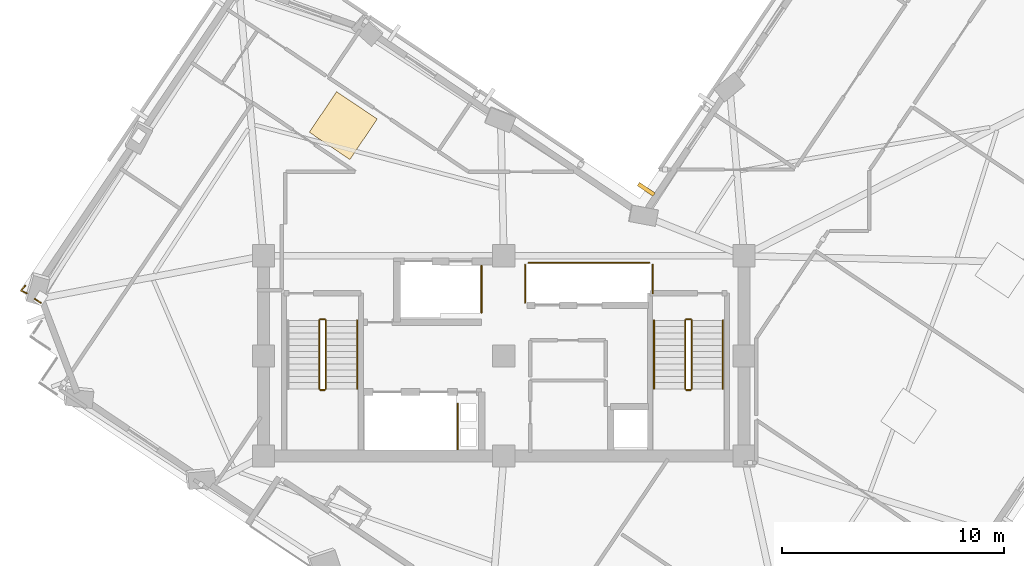
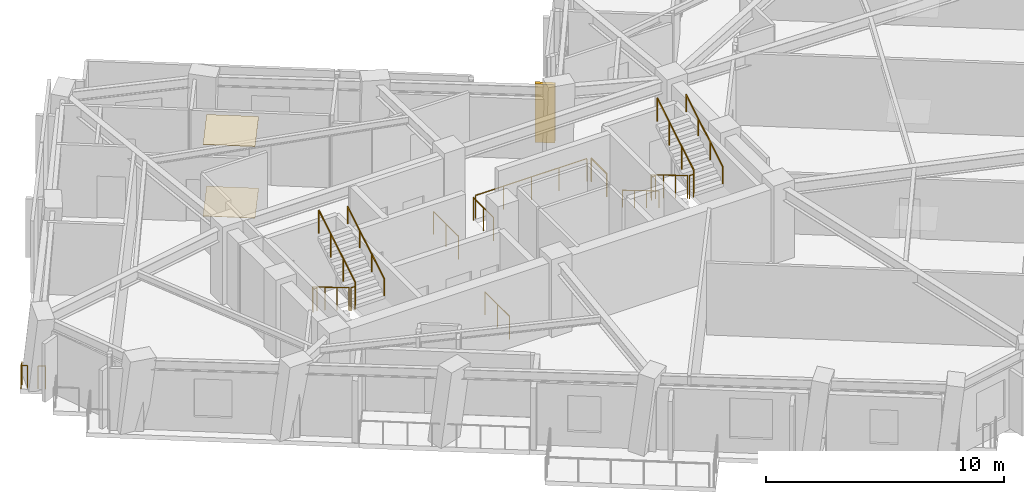
# One storey, part 11 of 14: 18 railings, 2 coverings, 1 shading device.
"""IFC4 building model written with IfcOpenShell, lengths in metres."""

import ifcopenshell
import ifcopenshell.guid

model = None  # the IFC model being written
_history = None  # IfcOwnerHistory: only IFC2X3 demands one
_inside = {}  # id of a spatial element -> (the spatial element, [elements in it])
_under = {}  # id of a project, library or spatial element -> (it, [spatial elements below it])
_declared = {}  # id of a project -> (the project, [libraries it declares])
_typed = {}  # id of a type object -> (the type object, [elements of that type])
_made_of = {}  # id of a material, layer set ... -> (it, [elements and type objects made of it])


def new_model(schema):
    """Start an empty IFC model of exactly this schema.

    Asked for "IFC4X3", IfcOpenShell would pick the latest addendum, in which some entities
    have other attributes; the version numbers below select the first issue.
    IFC2X3 requires an IfcOwnerHistory on every rooted entity: one is made here for all.
    """
    global model, _history
    if schema == "IFC4X3":
        model = ifcopenshell.file(schema_version=(4, 3, 0, 0))
    else:
        model = ifcopenshell.file(schema=schema)
    _inside.clear()
    _under.clear()
    _declared.clear()
    _typed.clear()
    _made_of.clear()
    _history = None
    if model.schema == "IFC2X3":
        org = make("IfcOrganization", Name="unknown")
        user = make(
            "IfcPersonAndOrganization",
            ThePerson=make("IfcPerson", FamilyName="unknown"),
            TheOrganization=org,
        )
        app = make(
            "IfcApplication",
            ApplicationDeveloper=org,
            Version="unknown",
            ApplicationFullName="unknown",
            ApplicationIdentifier="unknown",
        )
        _history = make(
            "IfcOwnerHistory",
            OwningUser=user,
            OwningApplication=app,
            ChangeAction="ADDED",
            CreationDate=0,
        )
    return model


def make(cls, **values):
    """One entity of the class cls with the attributes given. An attribute that is None is left unset."""
    return model.create_entity(
        cls, **{name: value for name, value in values.items() if value is not None}
    )


def rooted(cls, **values):
    """An entity with a GlobalId (a new one), such as an element, a storey or a relation."""
    return make(cls, GlobalId=ifcopenshell.guid.new(), OwnerHistory=_history, **values)


def si_unit(unit_type, name, prefix=None):
    """IfcSIUnit, for example si_unit("LENGTHUNIT", "METRE", prefix="MILLI")."""
    return make("IfcSIUnit", UnitType=unit_type, Prefix=prefix, Name=name)


def assignment(units):
    """IfcUnitAssignment: the units of a project."""
    return None if units is None else make("IfcUnitAssignment", Units=units)


def point(xyz):
    """IfcCartesianPoint."""
    return None if xyz is None else make("IfcCartesianPoint", Coordinates=xyz)


def direction(xyz):
    """IfcDirection."""
    return None if xyz is None else make("IfcDirection", DirectionRatios=xyz)


def frame(location, z_axis=None, x_axis=None):
    """IfcAxis2Placement3D, a coordinate frame: its origin and axes. An axis left out is left unset."""
    return make(
        "IfcAxis2Placement3D",
        Location=point(location),
        Axis=direction(z_axis),
        RefDirection=direction(x_axis),
    )


def frame_2d(location, x_axis=None):
    """IfcAxis2Placement2D, a coordinate frame in the plane: its origin and x axis."""
    return make(
        "IfcAxis2Placement2D", Location=point(location), RefDirection=direction(x_axis)
    )


def origin():
    """The frame at (0, 0, 0) with its axes left unset."""
    return frame((0.0, 0.0, 0.0))


def origin_2d():
    """The frame at (0, 0) in the plane with its x axis left unset."""
    return frame_2d((0.0, 0.0))


def place(relative_to, where):
    """IfcLocalPlacement: puts the frame where relative to a parent placement (None: the world)."""
    return make(
        "IfcLocalPlacement", PlacementRelTo=relative_to, RelativePlacement=where
    )


def context(
    kind, dimensions, precision=None, world=None, true_north=None, identifier=None
):
    """IfcGeometricRepresentationContext, for example the 3D "Model" context."""
    return make(
        "IfcGeometricRepresentationContext",
        ContextIdentifier=identifier,
        ContextType=kind,
        CoordinateSpaceDimension=dimensions,
        Precision=precision,
        WorldCoordinateSystem=world,
        TrueNorth=true_north,
    )


def subcontext(parent, identifier, kind, view, scale=None):
    """IfcGeometricRepresentationSubContext, for example "Body" below "Model"."""
    return make(
        "IfcGeometricRepresentationSubContext",
        ContextIdentifier=identifier,
        ContextType=kind,
        ParentContext=parent,
        TargetScale=scale,
        TargetView=view,
    )


def project(units=None, contexts=None):
    """IfcProject with its units and contexts."""
    return rooted(
        "IfcProject",
        Name="project",
        RepresentationContexts=contexts,
        UnitsInContext=assignment(units),
    )


def spatial(cls, under=None, at=None, **own):
    """A site, building, storey or space (cls), placed at a placement, below another one or the project."""
    s = rooted(cls, ObjectPlacement=at, **own)
    if under is not None:
        _under.setdefault(under.id(), (under, []))[1].append(s)
    return s


def profile(cls, at=None, kind="AREA", **sizes):
    """A parametric profile (cls). Its sizes go by their IFC names, for example OverallWidth=200.0."""
    return make(cls, ProfileType=kind, Position=at, **sizes)


def rectangle(**sizes):
    """IfcRectangleProfileDef."""
    return profile("IfcRectangleProfileDef", **sizes)


def circle(**sizes):
    """IfcCircleProfileDef."""
    return profile("IfcCircleProfileDef", **sizes)


def extrude(swept, where, along, depth):
    """IfcExtrudedAreaSolid: the profile swept, set in the frame where, extruded along a direction by depth."""
    return make(
        "IfcExtrudedAreaSolid",
        SweptArea=swept,
        Position=where,
        ExtrudedDirection=direction(along),
        Depth=depth,
    )


def shape(context_of_items, identifier, shape_type, items):
    """IfcShapeRepresentation: the items that make up one representation, for example the "Body"."""
    return make(
        "IfcShapeRepresentation",
        ContextOfItems=context_of_items,
        RepresentationIdentifier=identifier,
        RepresentationType=shape_type,
        Items=items,
    )


def material(Name=None, Category=None):
    """IfcMaterial."""
    return make("IfcMaterial", Name=Name, Category=Category)


def layer(
    of_material, thickness, ventilated=None, Name=None, Category=None, Priority=None
):
    """IfcMaterialLayer: one layer of a wall or slab, of a material (None: an air gap)."""
    return make(
        "IfcMaterialLayer",
        Material=of_material,
        LayerThickness=thickness,
        IsVentilated=ventilated,
        Name=Name,
        Category=Category,
        Priority=Priority,
    )


def layer_set(layers, Name=None):
    """IfcMaterialLayerSet."""
    return make("IfcMaterialLayerSet", MaterialLayers=layers, LayerSetName=Name)


def made_of(thing, what):
    """Note that an element or type object is made of a material, layer set ...; save() writes the relation."""
    if what is not None:
        _made_of.setdefault(what.id(), (what, []))[1].append(thing)
    return thing


def type_object(cls, material=None, **own):
    """A type object (cls), such as IfcWallType, which elements share."""
    return made_of(rooted(cls, **own), material)


def element(
    cls,
    number,
    at=None,
    inside=None,
    cuts=None,
    type_object=None,
    material=None,
    context=None,
    identifier="Body",
    shape_type=None,
    held_by="IfcProductDefinitionShape",
    body=None,
    shapes=None,
    **own,
):
    """One element of the class cls, such as IfcWall. Its Tag is "e" and its number.

    at: its placement. inside: the storey or other place that contains it. cuts: it is an
    opening in that element (IfcRelVoidsElement). A single representation is given by context,
    identifier, shape_type and body (its items); several are given by shapes. held_by: the class
    of the entity that holds the representations. save() writes the other relations.
    """
    e = rooted(cls, Tag="e%d" % number, ObjectPlacement=at, **own)
    if body is not None:
        shapes = [shape(context, identifier, shape_type, body)]
    if shapes is not None:
        e.Representation = make(held_by, Representations=shapes)
    if inside is not None:
        _inside.setdefault(inside.id(), (inside, []))[1].append(e)
    if cuts is not None:
        rooted(
            "IfcRelVoidsElement", RelatingBuildingElement=cuts, RelatedOpeningElement=e
        )
    if type_object is not None:
        _typed.setdefault(type_object.id(), (type_object, []))[1].append(e)
    return made_of(e, material)


def aggregate(whole, parts):
    """IfcRelAggregates: a whole, such as a stair, and the parts it consists of."""
    return rooted("IfcRelAggregates", RelatingObject=whole, RelatedObjects=parts)


def save(model, path):
    """Write the relations noted so far, then the file.

    IfcRelAggregates (storeys below a building ...), IfcRelContainedInSpatialStructure (elements
    in a storey), IfcRelDefinesByType, IfcRelAssociatesMaterial and IfcRelDeclares: one each for
    every whole, place, type object, material and project.
    """
    for whole, parts in _under.values():
        aggregate(whole, parts)
    for where, things in _inside.values():
        rooted(
            "IfcRelContainedInSpatialStructure",
            RelatedElements=things,
            RelatingStructure=where,
        )
    for kind, things in _typed.values():
        rooted("IfcRelDefinesByType", RelatedObjects=things, RelatingType=kind)
    for what, things in _made_of.values():
        rooted("IfcRelAssociatesMaterial", RelatedObjects=things, RelatingMaterial=what)
    for by, libraries in _declared.values():
        rooted("IfcRelDeclares", RelatingContext=by, RelatedDefinitions=libraries)
    model.write(path)


model = new_model("IFC4")

# Units and contexts
model_context = context("Model", 3, precision=1e-05, world=origin(), true_north=direction((0.0, 1.0)))
body_context = subcontext(model_context, "Body", "Model", "MODEL_VIEW")
ifc_project = project(units=[si_unit("LENGTHUNIT", "METRE"), si_unit("AREAUNIT", "SQUARE_METRE"), si_unit("VOLUMEUNIT", "CUBIC_METRE"), si_unit("PLANEANGLEUNIT", "RADIAN"), si_unit("MASSUNIT", "GRAM", prefix="KILO")], contexts=[model_context])

# Site, building, storey
site_placement = place(None, origin())
site = spatial("IfcSite", under=ifc_project, at=site_placement, CompositionType="ELEMENT")
building_placement = place(site_placement, origin())
building = spatial("IfcBuilding", under=site, at=building_placement, Name="Gaonmaruhae Medical Tower", CompositionType="ELEMENT")
storey_placement = place(building_placement, frame((0.0, 0.0, 263.199951171875)))
storey = spatial("IfcBuildingStorey", under=building, at=storey_placement, Name="L63", CompositionType="ELEMENT", Elevation=263.199951171875)

# Coverings
ifc_material_1 = material(Name="Acoustic mineral ceiling tile", Category="finish")
ifc_layer_1 = layer(ifc_material_1, 0.02490234375)
ifc_layer_set_1 = layer_set([ifc_layer_1], Name="Acoustic mineral ceiling tile")
covering_type_1 = type_object("IfcCoveringType", Name="CLG-01 Antimicrobial Acoustic Mineral Ceiling", PredefinedType="CEILING", material=ifc_layer_set_1)
covering_1_placement = place(storey_placement, frame((17.580810546875, 22.655517578125, 3.675048828125), z_axis=(0.0, 0.0, 1.0), x_axis=(0.558469218875, 0.829525244685, 0.0)))
element("IfcCovering", 1, at=covering_1_placement, inside=storey, type_object=covering_type_1, Name="L63 Clinical Corridor Acoustic Ceiling", PredefinedType="CEILING", context=body_context, shape_type="SweptSolid", body=[
    extrude(rectangle(XDim=2.199951171875, YDim=2.199951171875, at=origin_2d()), origin(), (0.0, 0.0, 1.0), 0.02490234375),
])
ifc_material_2 = material(Name="Seamless clinical vinyl flooring", Category="finish")
ifc_layer_2 = layer(ifc_material_2, 0.014892578125)
ifc_layer_set_2 = layer_set([ifc_layer_2], Name="Seamless clinical vinyl flooring")
covering_type_2 = type_object("IfcCoveringType", Name="FLR-01 Seamless Clinical Antistatic Vinyl Flooring", PredefinedType="FLOORING", material=ifc_layer_set_2)
covering_2_placement = place(storey_placement, frame((17.580810546875, 22.655517578125, 0.00048828125), z_axis=(0.0, 0.0, 1.0), x_axis=(0.558469218875, 0.829525244685, 0.0)))
element("IfcCovering", 2, at=covering_2_placement, inside=storey, type_object=covering_type_2, Name="L63 Clinical Corridor Vinyl Flooring", PredefinedType="FLOORING", context=body_context, shape_type="SweptSolid", body=[
    extrude(rectangle(XDim=2.199951171875, YDim=2.199951171875, at=origin_2d()), origin(), (0.0, 0.0, 1.0), 0.014892578125),
])

# Railings
ifc_material_3 = material(Name="Stainless steel 316L and laminated safety glass", Category="steel")
ifc_layer_3 = layer(ifc_material_3, 0.080078125)
ifc_layer_set_3 = layer_set([ifc_layer_3], Name="Stainless steel 316L and laminated safety glass")
railing_type_1 = type_object("IfcRailingType", Name="GD-120 Outdoor Terrace Safety Glass & Steel Balustrade", PredefinedType="BALUSTRADE", material=ifc_layer_set_3)
railing_1_placement = place(storey_placement, frame((3.98291015625, 14.686279296875, 0.0)))
element("IfcRailing", 3, at=railing_1_placement, inside=storey, type_object=railing_type_1, Name="L63 Perimeter Slab Edge Safety Balustrade 03", PredefinedType="BALUSTRADE", context=body_context, shape_type="SweptSolid", body=[
    extrude(circle(Radius=0.02392578125, at=origin_2d()), frame((0.0, 0.0, 1.17578125), z_axis=(-0.829627693725, 0.558317015507, 0.0), x_axis=(-0.558317015507, -0.829627693725, 0.0)), (0.0, 0.0, 1.0), 0.32666015625),
    extrude(circle(Radius=0.02099609375, at=origin_2d()), origin(), (0.0, 0.0, 1.0), 1.15185546875),
    extrude(circle(Radius=0.02099609375, at=origin_2d()), frame((-0.27099609375, 0.182373046875, 0.0)), (0.0, 0.0, 1.0), 1.15185546875),
])
railing_2_placement = place(storey_placement, frame((3.352294921875, 15.110595703125, 0.0)))
element("IfcRailing", 4, at=railing_2_placement, inside=storey, type_object=railing_type_1, Name="L63 Perimeter Corner Safety Balustrade 18", PredefinedType="BALUSTRADE", context=body_context, shape_type="SweptSolid", body=[
    extrude(circle(Radius=0.02392578125, at=origin_2d()), frame((0.0, 0.0, 1.17578125), z_axis=(-0.89134435758, 0.453326853617, 0.0), x_axis=(-0.453326853617, -0.89134435758, 0.0)), (0.0, 0.0, 1.0), 0.287109375),
    extrude(circle(Radius=0.02392578125, at=origin_2d()), frame((-0.255859375, 0.130126953125, 1.17578125), z_axis=(0.65518931978, 0.755464727996, 0.0), x_axis=(-0.755464727996, 0.65518931978, 0.0)), (0.0, 0.0, 1.0), 0.287353515625),
    extrude(circle(Radius=0.02099609375, at=origin_2d()), origin(), (0.0, 0.0, 1.0), 1.15185546875),
    extrude(circle(Radius=0.02099609375, at=origin_2d()), frame((-0.255859375, 0.130126953125, 0.0)), (0.0, 0.0, 1.0), 1.15185546875),
    extrude(circle(Radius=0.02099609375, at=origin_2d()), frame((-0.067626953125, 0.34716796875, 0.0)), (0.0, 0.0, 1.0), 1.15185546875),
])
ifc_material_4 = material(Name="Stainless steel 304 handrail", Category="steel")
railing_type_2 = type_object("IfcRailingType", Name="HR-092 Continuous Stainless Steel Stair Handrail", PredefinedType="HANDRAIL", material=ifc_material_4)
railing_3_placement = place(storey_placement, frame((18.199951171875, 10.820068359375, 2.166748046875)))
element("IfcRailing", 5, at=railing_3_placement, inside=storey, type_object=railing_type_2, Name="L63 ST-01 stair handrail 2", PredefinedType="HANDRAIL", context=body_context, shape_type="SweptSolid", body=[
    extrude(circle(Radius=0.02392578125, at=origin_2d()), frame((0.0, 0.0, 0.8759765625), z_axis=(0.0, 0.859290745958, 0.51148745235), x_axis=(-1.0, 0.0, 0.0)), (0.0, 0.0, 1.0), 3.584228515625),
    extrude(circle(Radius=0.02099609375, at=origin_2d()), origin(), (0.0, 0.0, 1.0), 0.851806640625),
    extrude(circle(Radius=0.02099609375, at=origin_2d()), frame((0.0, 1.026611328125, 0.611083984375)), (0.0, 0.0, 1.0), 0.851806640625),
    extrude(circle(Radius=0.02099609375, at=origin_2d()), frame((0.0, 2.05322265625, 1.22216796875)), (0.0, 0.0, 1.0), 0.851806640625),
    extrude(circle(Radius=0.02099609375, at=origin_2d()), frame((0.0, 3.079833984375, 1.833251953125)), (0.0, 0.0, 1.0), 0.851806640625),
])
railing_4_placement = place(storey_placement, frame((31.550048828125, 13.89990234375, 0.166748046875)))
element("IfcRailing", 6, at=railing_4_placement, inside=storey, type_object=railing_type_2, Name="L63 ST-02 stair handrail 1", PredefinedType="HANDRAIL", context=body_context, shape_type="SweptSolid", body=[
    extrude(circle(Radius=0.02392578125, at=origin_2d()), frame((0.0, 0.0, 0.8759765625), z_axis=(0.0, -0.859290745958, 0.51148745235), x_axis=(1.0, 0.0, 0.0)), (0.0, 0.0, 1.0), 3.584228515625),
    extrude(circle(Radius=0.02099609375, at=origin_2d()), origin(), (0.0, 0.0, 1.0), 0.851806640625),
    extrude(circle(Radius=0.02099609375, at=origin_2d()), frame((0.0, -1.026611328125, 0.611083984375)), (0.0, 0.0, 1.0), 0.851806640625),
    extrude(circle(Radius=0.02099609375, at=origin_2d()), frame((0.0, -2.05322265625, 1.22216796875)), (0.0, 0.0, 1.0), 0.851806640625),
    extrude(circle(Radius=0.02099609375, at=origin_2d()), frame((0.0, -3.079833984375, 1.833251953125)), (0.0, 0.0, 1.0), 0.851806640625),
])
railing_5_placement = place(storey_placement, frame((34.64990234375, 10.820068359375, 2.166748046875)))
element("IfcRailing", 7, at=railing_5_placement, inside=storey, type_object=railing_type_2, Name="L63 ST-02 stair handrail 2", PredefinedType="HANDRAIL", context=body_context, shape_type="SweptSolid", body=[
    extrude(circle(Radius=0.02392578125, at=origin_2d()), frame((0.0, 0.0, 0.8759765625), z_axis=(0.0, 0.859290745958, 0.51148745235), x_axis=(-1.0, 0.0, 0.0)), (0.0, 0.0, 1.0), 3.584228515625),
    extrude(circle(Radius=0.02099609375, at=origin_2d()), origin(), (0.0, 0.0, 1.0), 0.851806640625),
    extrude(circle(Radius=0.02099609375, at=origin_2d()), frame((0.0, 1.026611328125, 0.611083984375)), (0.0, 0.0, 1.0), 0.851806640625),
    extrude(circle(Radius=0.02099609375, at=origin_2d()), frame((0.0, 2.05322265625, 1.22216796875)), (0.0, 0.0, 1.0), 0.851806640625),
    extrude(circle(Radius=0.02099609375, at=origin_2d()), frame((0.0, 3.079833984375, 1.833251953125)), (0.0, 0.0, 1.0), 0.851806640625),
])

# Shading device
ifc_material_5 = material(Name="Pigmented coral precast concrete C45/55", Category="concrete")
shading_device_type = type_object("IfcShadingDeviceType", Name="SD-FIN1 Tower Vertical Coral Precast Shading Fin", PredefinedType="USERDEFINED", material=ifc_material_5)
shading_device_placement = place(storey_placement, frame((31.19921875, 19.79248046875, 0.092529296875), z_axis=(0.0, 0.0, 1.0), x_axis=(0.558469218875, 0.829525244685, 0.0)))
element("IfcShadingDevice", 8, at=shading_device_placement, inside=storey, type_object=shading_device_type, Name="L63 Vertical Coral Precast Shading Fin EN02", ObjectType="FIN", PredefinedType="USERDEFINED", context=body_context, shape_type="SweptSolid", body=[
    extrude(rectangle(XDim=0.179931640625, YDim=0.85009765625, at=origin_2d()), origin(), (0.0, 0.0, 1.0), 3.0),
])

# Railings
ifc_material_6 = material(Name="Stainless steel 304 balustrade", Category="steel")
railing_type_3 = type_object("IfcRailingType", Name="SG-112 Stair Well & Ramp Void Safety Balustrade", PredefinedType="BALUSTRADE", material=ifc_material_6)
railing_6_placement = place(storey_placement, frame((16.5, 13.89990234375, 0.166748046875)))
element("IfcRailing", 9, at=railing_6_placement, inside=storey, type_object=railing_type_3, Name="L63 ST-01 stair guard 1", PredefinedType="BALUSTRADE", context=body_context, shape_type="SweptSolid", body=[
    extrude(circle(Radius=0.02392578125, at=origin_2d()), frame((0.0, 0.0, 1.17578125), z_axis=(0.0, -0.859290745958, 0.51148745235), x_axis=(1.0, 0.0, 0.0)), (0.0, 0.0, 1.0), 3.584228515625),
    extrude(circle(Radius=0.02099609375, at=origin_2d()), origin(), (0.0, 0.0, 1.0), 1.15185546875),
    extrude(circle(Radius=0.02099609375, at=origin_2d()), frame((0.0, -1.026611328125, 0.611083984375)), (0.0, 0.0, 1.0), 1.15185546875),
    extrude(circle(Radius=0.02099609375, at=origin_2d()), frame((0.0, -2.05322265625, 1.22216796875)), (0.0, 0.0, 1.0), 1.15185546875),
    extrude(circle(Radius=0.02099609375, at=origin_2d()), frame((0.0, -3.079833984375, 1.833251953125)), (0.0, 0.0, 1.0), 1.15185546875),
])
railing_7_placement = place(storey_placement, frame((16.550048828125, 10.77001953125, 2.0)))
element("IfcRailing", 10, at=railing_7_placement, inside=storey, type_object=railing_type_3, Name="L63 ST-01 stair guard 2", PredefinedType="BALUSTRADE", context=body_context, shape_type="SweptSolid", body=[
    extrude(circle(Radius=0.02392578125, at=origin_2d()), frame((0.0, 0.0, 1.17578125), z_axis=(1.0, 0.0, 0.0), x_axis=(0.0, 1.0, 0.0)), (0.0, 0.0, 1.0), 0.199951171875),
    extrude(circle(Radius=0.02099609375, at=origin_2d()), origin(), (0.0, 0.0, 1.0), 1.15185546875),
    extrude(circle(Radius=0.02099609375, at=origin_2d()), frame((0.199951171875, 0.0, 0.0)), (0.0, 0.0, 1.0), 1.15185546875),
])
railing_8_placement = place(storey_placement, frame((16.800048828125, 10.820068359375, 2.166748046875)))
element("IfcRailing", 11, at=railing_8_placement, inside=storey, type_object=railing_type_3, Name="L63 ST-01 stair guard 3", PredefinedType="BALUSTRADE", context=body_context, shape_type="SweptSolid", body=[
    extrude(circle(Radius=0.02392578125, at=origin_2d()), frame((0.0, 0.0, 1.17578125), z_axis=(0.0, 0.859290745958, 0.51148745235), x_axis=(-1.0, 0.0, 0.0)), (0.0, 0.0, 1.0), 3.584228515625),
    extrude(circle(Radius=0.02099609375, at=origin_2d()), origin(), (0.0, 0.0, 1.0), 1.15185546875),
    extrude(circle(Radius=0.02099609375, at=origin_2d()), frame((0.0, 1.026611328125, 0.611083984375)), (0.0, 0.0, 1.0), 1.15185546875),
    extrude(circle(Radius=0.02099609375, at=origin_2d()), frame((0.0, 2.05322265625, 1.22216796875)), (0.0, 0.0, 1.0), 1.15185546875),
    extrude(circle(Radius=0.02099609375, at=origin_2d()), frame((0.0, 3.079833984375, 1.833251953125)), (0.0, 0.0, 1.0), 1.15185546875),
])
railing_9_placement = place(storey_placement, frame((16.550048828125, 13.949951171875, 0.0)))
element("IfcRailing", 12, at=railing_9_placement, inside=storey, type_object=railing_type_3, Name="L63 ST-01 stair guard 4", PredefinedType="BALUSTRADE", context=body_context, shape_type="SweptSolid", body=[
    extrude(circle(Radius=0.02392578125, at=origin_2d()), frame((0.0, 0.0, 1.17578125), z_axis=(1.0, 0.0, 0.0), x_axis=(0.0, 1.0, 0.0)), (0.0, 0.0, 1.0), 0.199951171875),
    extrude(circle(Radius=0.02099609375, at=origin_2d()), origin(), (0.0, 0.0, 1.0), 1.15185546875),
    extrude(circle(Radius=0.02099609375, at=origin_2d()), frame((0.199951171875, 0.0, 0.0)), (0.0, 0.0, 1.0), 1.15185546875),
])
railing_10_placement = place(storey_placement, frame((32.949951171875, 13.89990234375, 0.166748046875)))
element("IfcRailing", 13, at=railing_10_placement, inside=storey, type_object=railing_type_3, Name="L63 ST-02 stair guard 1", PredefinedType="BALUSTRADE", context=body_context, shape_type="SweptSolid", body=[
    extrude(circle(Radius=0.02392578125, at=origin_2d()), frame((0.0, 0.0, 1.17578125), z_axis=(0.0, -0.859290745958, 0.51148745235), x_axis=(1.0, 0.0, 0.0)), (0.0, 0.0, 1.0), 3.584228515625),
    extrude(circle(Radius=0.02099609375, at=origin_2d()), origin(), (0.0, 0.0, 1.0), 1.15185546875),
    extrude(circle(Radius=0.02099609375, at=origin_2d()), frame((0.0, -1.026611328125, 0.611083984375)), (0.0, 0.0, 1.0), 1.15185546875),
    extrude(circle(Radius=0.02099609375, at=origin_2d()), frame((0.0, -2.05322265625, 1.22216796875)), (0.0, 0.0, 1.0), 1.15185546875),
    extrude(circle(Radius=0.02099609375, at=origin_2d()), frame((0.0, -3.079833984375, 1.833251953125)), (0.0, 0.0, 1.0), 1.15185546875),
])
railing_11_placement = place(storey_placement, frame((33.0, 10.77001953125, 2.0)))
element("IfcRailing", 14, at=railing_11_placement, inside=storey, type_object=railing_type_3, Name="L63 ST-02 stair guard 2", PredefinedType="BALUSTRADE", context=body_context, shape_type="SweptSolid", body=[
    extrude(circle(Radius=0.02392578125, at=origin_2d()), frame((0.0, 0.0, 1.17578125), z_axis=(1.0, 0.0, 0.0), x_axis=(0.0, 1.0, 0.0)), (0.0, 0.0, 1.0), 0.199951171875),
    extrude(circle(Radius=0.02099609375, at=origin_2d()), origin(), (0.0, 0.0, 1.0), 1.15185546875),
    extrude(circle(Radius=0.02099609375, at=origin_2d()), frame((0.199951171875, 0.0, 0.0)), (0.0, 0.0, 1.0), 1.15185546875),
])
railing_12_placement = place(storey_placement, frame((33.25, 10.820068359375, 2.166748046875)))
element("IfcRailing", 15, at=railing_12_placement, inside=storey, type_object=railing_type_3, Name="L63 ST-02 stair guard 3", PredefinedType="BALUSTRADE", context=body_context, shape_type="SweptSolid", body=[
    extrude(circle(Radius=0.02392578125, at=origin_2d()), frame((0.0, 0.0, 1.17578125), z_axis=(0.0, 0.859290745958, 0.51148745235), x_axis=(-1.0, 0.0, 0.0)), (0.0, 0.0, 1.0), 3.584228515625),
    extrude(circle(Radius=0.02099609375, at=origin_2d()), origin(), (0.0, 0.0, 1.0), 1.15185546875),
    extrude(circle(Radius=0.02099609375, at=origin_2d()), frame((0.0, 1.026611328125, 0.611083984375)), (0.0, 0.0, 1.0), 1.15185546875),
    extrude(circle(Radius=0.02099609375, at=origin_2d()), frame((0.0, 2.05322265625, 1.22216796875)), (0.0, 0.0, 1.0), 1.15185546875),
    extrude(circle(Radius=0.02099609375, at=origin_2d()), frame((0.0, 3.079833984375, 1.833251953125)), (0.0, 0.0, 1.0), 1.15185546875),
])
railing_13_placement = place(storey_placement, frame((33.0, 13.949951171875, 0.0)))
element("IfcRailing", 16, at=railing_13_placement, inside=storey, type_object=railing_type_3, Name="L63 ST-02 stair guard 4", PredefinedType="BALUSTRADE", context=body_context, shape_type="SweptSolid", body=[
    extrude(circle(Radius=0.02392578125, at=origin_2d()), frame((0.0, 0.0, 1.17578125), z_axis=(1.0, 0.0, 0.0), x_axis=(0.0, 1.0, 0.0)), (0.0, 0.0, 1.0), 0.199951171875),
    extrude(circle(Radius=0.02099609375, at=origin_2d()), origin(), (0.0, 0.0, 1.0), 1.15185546875),
    extrude(circle(Radius=0.02099609375, at=origin_2d()), frame((0.199951171875, 0.0, 0.0)), (0.0, 0.0, 1.0), 1.15185546875),
])
railing_14_placement = place(storey_placement, frame((22.719970703125, 10.159912109375, 0.0)))
element("IfcRailing", 17, at=railing_14_placement, inside=storey, type_object=railing_type_3, Name="L63 Shaft Edge Safety Guard 21", PredefinedType="BALUSTRADE", context=body_context, shape_type="SweptSolid", body=[
    extrude(circle(Radius=0.02392578125, at=origin_2d()), frame((0.0, 0.0, 1.17578125), z_axis=(0.0, -1.0, 0.0), x_axis=(1.0, 0.0, 0.0)), (0.0, 0.0, 1.0), 2.06494140625),
    extrude(circle(Radius=0.02099609375, at=origin_2d()), origin(), (0.0, 0.0, 1.0), 1.15185546875),
    extrude(circle(Radius=0.02099609375, at=origin_2d()), frame((0.0, -1.032470703125, 0.0)), (0.0, 0.0, 1.0), 1.15185546875),
    extrude(circle(Radius=0.02099609375, at=origin_2d()), frame((0.0, -2.06494140625, 0.0)), (0.0, 0.0, 1.0), 1.15185546875),
])
railing_15_placement = place(storey_placement, frame((23.794921875, 16.35498046875, 0.0)))
element("IfcRailing", 18, at=railing_15_placement, inside=storey, type_object=railing_type_3, Name="L63 Shaft Edge Safety Guard 22", PredefinedType="BALUSTRADE", context=body_context, shape_type="SweptSolid", body=[
    extrude(circle(Radius=0.02392578125, at=origin_2d()), frame((0.0, 0.0, 1.17578125), z_axis=(0.0, -1.0, 0.0), x_axis=(1.0, 0.0, 0.0)), (0.0, 0.0, 1.0), 2.10986328125),
    extrude(circle(Radius=0.02099609375, at=origin_2d()), origin(), (0.0, 0.0, 1.0), 1.15185546875),
    extrude(circle(Radius=0.02099609375, at=origin_2d()), frame((0.0, -1.054931640625, 0.0)), (0.0, 0.0, 1.0), 1.15185546875),
    extrude(circle(Radius=0.02099609375, at=origin_2d()), frame((0.0, -2.10986328125, 0.0)), (0.0, 0.0, 1.0), 1.15185546875),
])
railing_16_placement = place(storey_placement, frame((31.4951171875, 16.405029296875, 0.0)))
element("IfcRailing", 19, at=railing_16_placement, inside=storey, type_object=railing_type_3, Name="L63 Shaft Edge Safety Guard 23", PredefinedType="BALUSTRADE", context=body_context, shape_type="SweptSolid", body=[
    extrude(circle(Radius=0.02392578125, at=origin_2d()), frame((0.0, 0.0, 1.17578125), z_axis=(0.0, -1.0, 0.0), x_axis=(1.0, 0.0, 0.0)), (0.0, 0.0, 1.0), 1.284912109375),
    extrude(circle(Radius=0.02099609375, at=origin_2d()), origin(), (0.0, 0.0, 1.0), 1.15185546875),
    extrude(circle(Radius=0.02099609375, at=origin_2d()), frame((0.0, -1.284912109375, 0.0)), (0.0, 0.0, 1.0), 1.15185546875),
])
railing_17_placement = place(storey_placement, frame((25.7548828125, 14.695068359375, 0.0)))
element("IfcRailing", 20, at=railing_17_placement, inside=storey, type_object=railing_type_3, Name="L63 Shaft Edge Safety Guard 24", PredefinedType="BALUSTRADE", context=body_context, shape_type="SweptSolid", body=[
    extrude(circle(Radius=0.02392578125, at=origin_2d()), frame((0.0, 0.0, 1.17578125), z_axis=(0.0, 1.0, 0.0), x_axis=(-1.0, 0.0, 0.0)), (0.0, 0.0, 1.0), 1.7099609375),
    extrude(circle(Radius=0.02099609375, at=origin_2d()), origin(), (0.0, 0.0, 1.0), 1.15185546875),
    extrude(circle(Radius=0.02099609375, at=origin_2d()), frame((0.0, 0.85498046875, 0.0)), (0.0, 0.0, 1.0), 1.15185546875),
    extrude(circle(Radius=0.02099609375, at=origin_2d()), frame((0.0, 1.7099609375, 0.0)), (0.0, 0.0, 1.0), 1.15185546875),
])
railing_18_placement = place(storey_placement, frame((25.919921875, 16.4951171875, 0.0)))
element("IfcRailing", 21, at=railing_18_placement, inside=storey, type_object=railing_type_3, Name="L63 Shaft Edge Safety Guard 25", PredefinedType="BALUSTRADE", context=body_context, shape_type="SweptSolid", body=[
    extrude(circle(Radius=0.02392578125, at=origin_2d()), frame((0.0, 0.0, 1.17578125), z_axis=(1.0, 0.0, 0.0), x_axis=(0.0, 1.0, 0.0)), (0.0, 0.0, 1.0), 5.41015625),
    extrude(circle(Radius=0.02099609375, at=origin_2d()), origin(), (0.0, 0.0, 1.0), 1.15185546875),
    extrude(circle(Radius=0.02099609375, at=origin_2d()), frame((1.3525390625, 0.0, 0.0)), (0.0, 0.0, 1.0), 1.15185546875),
    extrude(circle(Radius=0.02099609375, at=origin_2d()), frame((2.705078125, 0.0, 0.0)), (0.0, 0.0, 1.0), 1.15185546875),
    extrude(circle(Radius=0.02099609375, at=origin_2d()), frame((4.0576171875, 0.0, 0.0)), (0.0, 0.0, 1.0), 1.15185546875),
    extrude(circle(Radius=0.02099609375, at=origin_2d()), frame((5.41015625, 0.0, 0.0)), (0.0, 0.0, 1.0), 1.15185546875),
])

save(model, "model.ifc")
